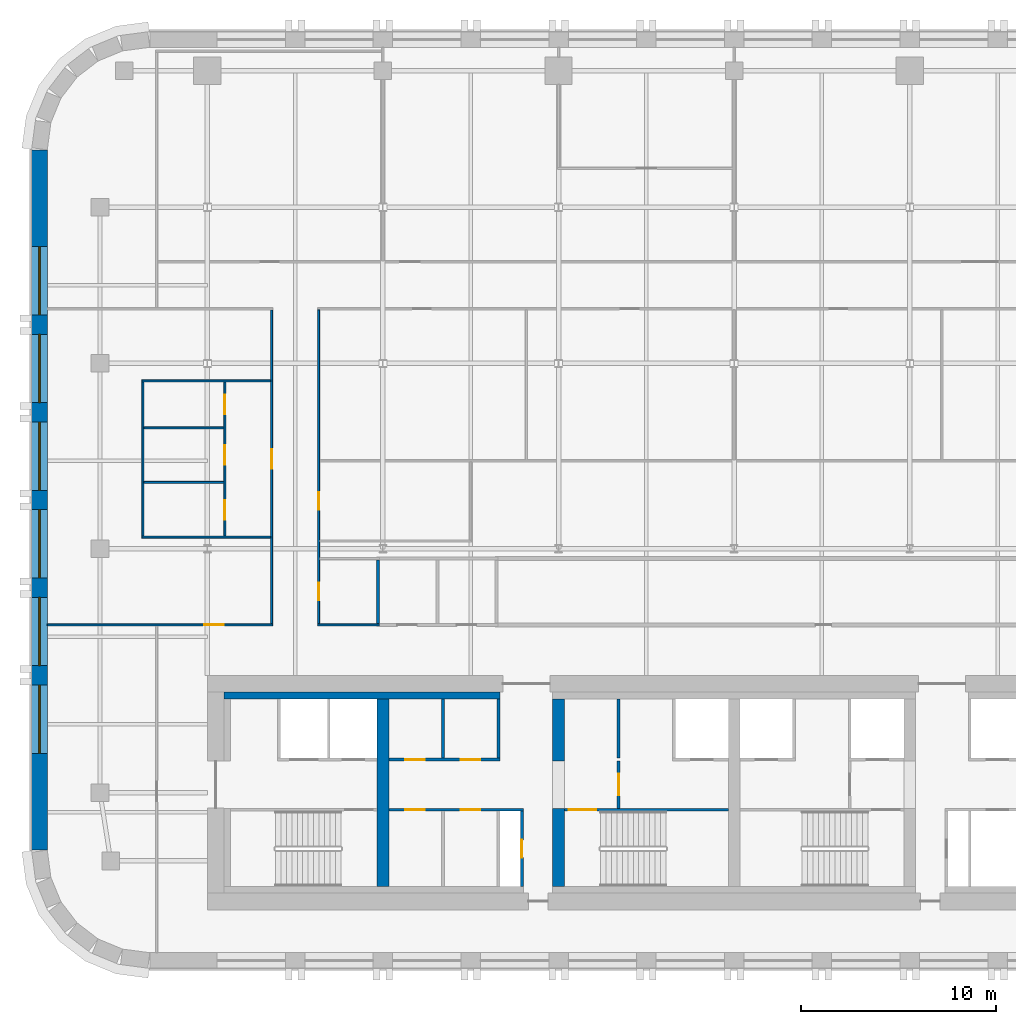
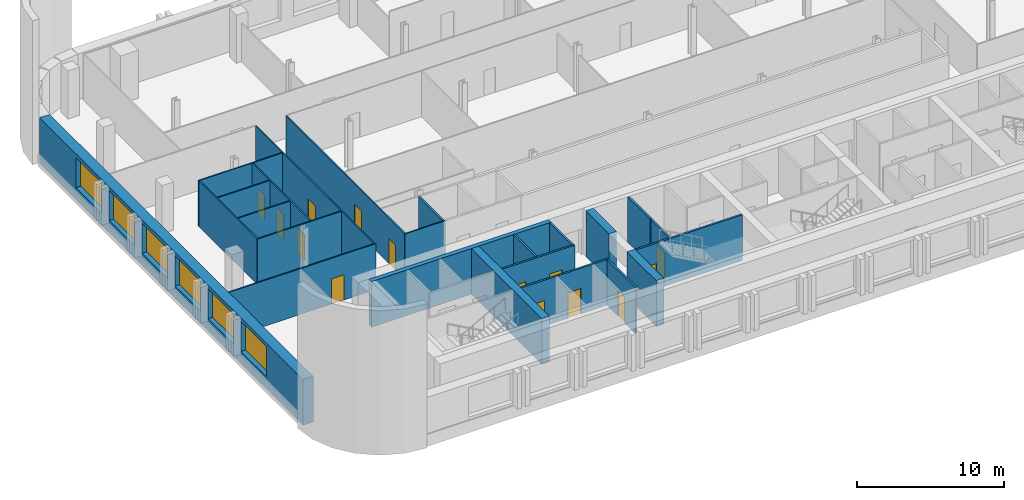
# One storey, part 3 of 9: 24 walls, 14 doors, 6 windows, 20 openings.
"""IFC4 building model written with IfcOpenShell, lengths in metres."""

from ifc_helpers import new_model, si_unit, direction, frame, frame_2d, origin, place, context, subcontext, project, spatial, rectangle, extrude, material, layer, layer_set, type_object, element, fill, save


model = new_model("IFC4")

# Units and contexts
model_context = context("Model", 3, precision=1e-05, world=origin(), true_north=direction((0.0, 1.0)))
body_context = subcontext(model_context, "Body", "Model", "MODEL_VIEW")
ifc_project = project(units=[si_unit("LENGTHUNIT", "METRE"), si_unit("AREAUNIT", "SQUARE_METRE"), si_unit("VOLUMEUNIT", "CUBIC_METRE"), si_unit("PLANEANGLEUNIT", "RADIAN"), si_unit("MASSUNIT", "GRAM", prefix="KILO")], contexts=[model_context])

# Site, building, storey
site_placement = place(None, origin())
site = spatial("IfcSite", under=ifc_project, at=site_placement, CompositionType="ELEMENT")
building_placement = place(site_placement, origin())
building = spatial("IfcBuilding", under=site, at=building_placement, Name="Zellij Exchange Tower", CompositionType="ELEMENT")
storey_placement = place(building_placement, frame((0.0, 0.0, 176.5)))
storey = spatial("IfcBuildingStorey", under=building, at=storey_placement, Name="L40", CompositionType="ELEMENT", Elevation=176.5)

# Walls
ifc_material_1 = material(Name="Concrete C60/75", Category="concrete")
ifc_layer_1 = layer(ifc_material_1, 0.60009765625)
ifc_layer_set_1 = layer_set([ifc_layer_1], Name="Concrete C60/75")
wall_type_1 = type_object("IfcWallType", Name="CORE-CW 600 C60/75", PredefinedType="SHEAR", material=ifc_layer_set_1)
wall_1_placement = place(storey_placement, frame((-18.0, -12.800048828125, 0.0), z_axis=(0.0, 0.0, 1.0), x_axis=(0.0, 1.0, 0.0)))
element("IfcWall", 1, at=wall_1_placement, inside=storey, type_object=wall_type_1, Name="Core cross wall x -18 L40", PredefinedType="SHEAR", context=body_context, shape_type="SweptSolid", body=[
    extrude(rectangle(XDim=9.60009765625, YDim=0.60009765625, at=frame_2d((4.800048828125, 0.0))), origin(), (0.0, 0.0, 1.0), 3.800048828125),
])
wall_2_placement = place(storey_placement, frame((-9.0, -12.800048828125, 0.0), z_axis=(0.0, 0.0, 1.0), x_axis=(0.0, 1.0, 0.0)))
element("IfcWall", 2, at=wall_2_placement, inside=storey, type_object=wall_type_1, Name="Core cross wall pier x -9 a L40", PredefinedType="SHEAR", context=body_context, shape_type="SweptSolid", body=[
    extrude(rectangle(XDim=4.0, YDim=0.60009765625, at=frame_2d((2.0, 0.0))), origin(), (0.0, 0.0, 1.0), 3.800048828125),
])
wall_3_placement = place(storey_placement, frame((-9.0, -6.375, 0.0), z_axis=(0.0, 0.0, 1.0), x_axis=(0.0, 1.0, 0.0)))
element("IfcWall", 3, at=wall_3_placement, inside=storey, type_object=wall_type_1, Name="Core cross wall pier x -9 b L40", PredefinedType="SHEAR", context=body_context, shape_type="SweptSolid", body=[
    extrude(rectangle(XDim=3.175048828125, YDim=0.60009765625, at=frame_2d((1.58740234375, 0.0))), origin(), (0.0, 0.0, 1.0), 3.800048828125),
])
ifc_material_2 = material(Name="Concrete C30/37", Category="concrete")
ifc_layer_2 = layer(ifc_material_2, 0.35009765625)
ifc_layer_set_2 = layer_set([ifc_layer_2], Name="Concrete C30/37")
wall_type_2 = type_object("IfcWallType", Name="CORE-LW 350 C30/37", PredefinedType="SHEAR", material=ifc_layer_set_2)
wall_4_placement = place(storey_placement, frame((-26.14990234375, -3.02490234375, 0.0), z_axis=(0.0, 0.0, 1.0), x_axis=(1.0, 0.0, 0.0)))
element("IfcWall", 4, at=wall_4_placement, inside=storey, type_object=wall_type_2, Name="Core wall lining front.0 L40", PredefinedType="SHEAR", context=body_context, shape_type="SweptSolid", body=[
    extrude(rectangle(XDim=14.14990234375, YDim=0.35009765625, at=frame_2d((7.074951171875, 0.0))), origin(), (0.0, 0.0, 1.0), 3.800048828125),
])

# Wall, opening, door
ifc_material_3 = material(Name="Gypsum shaft wall system")
ifc_layer_3 = layer(ifc_material_3, 0.14990234375)
ifc_layer_set_3 = layer_set([ifc_layer_3], Name="Gypsum shaft wall system")
wall_type_3 = type_object("IfcWallType", Name="CORE-PW 150 Firefighting lobby wall", PredefinedType="PARTITIONING", material=ifc_layer_set_3)
wall_5_placement = place(storey_placement, frame((-5.925048828125, -8.800048828125, 0.0), z_axis=(0.0, 0.0, 1.0), x_axis=(0.0, 1.0, 0.0)))
wall_5 = element("IfcWall", 5, at=wall_5_placement, inside=storey, type_object=wall_type_3, Name="Firefighting lobby wall L40", PredefinedType="PARTITIONING", context=body_context, shape_type="SweptSolid", body=[
    extrude(rectangle(XDim=2.425048828125, YDim=0.14990234375, at=frame_2d((1.21240234375, 0.0))), origin(), (0.0, 0.0, 1.0), 3.800048828125),
])
opening_1_placement = place(wall_5_placement, frame((0.662109375, 0.0, 0.0)))
opening_1 = element("IfcOpeningElement", 6, at=opening_1_placement, cuts=wall_5, Name="Opening CA-22.13", PredefinedType="OPENING", context=body_context, shape_type="SweptSolid", body=[
    extrude(rectangle(XDim=1.10009765625, YDim=2.10009765625, at=frame_2d((0.550048828125, 1.050048828125))), frame((0.0, 0.0869140625, 0.0), z_axis=(0.0, -1.0, 0.0), x_axis=(1.0, 0.0, 0.0)), (0.0, 0.0, 1.0), 0.173828125),
])
ifc_material_4 = material(Name="Hollow metal fire door")
door_type_1 = type_object("IfcDoorType", Name="CORE-D F Firefighting lobby door 1100x2100 1 HR", OperationType="NOTDEFINED", PredefinedType="DOOR", material=ifc_material_4)
door_1_placement = place(opening_1_placement, origin())
door_1 = element("IfcDoor", 7, at=door_1_placement, inside=storey, type_object=door_type_1, Name="Firefighting lobby door CA-22.13", OperationType="SINGLE_SWING_LEFT", OverallHeight=2.10009765625, OverallWidth=1.10009765625, PredefinedType="DOOR", context=body_context, shape_type="SweptSolid", body=[
    extrude(rectangle(XDim=1.10009765625, YDim=2.10009765625, at=frame_2d((0.550048828125, 1.050048828125))), frame((0.0, 0.02490234375, 0.0), z_axis=(0.0, -1.0, 0.0), x_axis=(1.0, 0.0, 0.0)), (0.0, 0.0, 1.0), 0.050048828125),
])
fill(opening_1, door_1)

# Walls
ifc_material_5 = material(Name="Gypsum board partition")
ifc_layer_4 = layer(ifc_material_5, 0.14990234375)
ifc_layer_set_4 = layer_set([ifc_layer_4], Name="Gypsum board partition")
wall_type_4 = type_object("IfcWallType", Name="CORE-PW 150 Lift lobby wall", PredefinedType="PARTITIONING", material=ifc_layer_set_4)
for number, where, z_axis, x_axis, name in (
    (8, (-12.074951171875, -6.22509765625, 0.0), (0.0, 0.0, 1.0), (0.0, 1.0, 0.0), "Lift lobby wall L40"),
    (9, (-14.925048828125, -6.22509765625, 0.0), (0.0, 0.0, 1.0), (0.0, 1.0, 0.0), "Lift lobby wall L40"),
    (10, (-5.925048828125, -6.22509765625, 0.0), (0.0, 0.0, 1.0), (0.0, 1.0, 0.0), "Lift lobby wall L40"),
):
    element("IfcWall", number, at=place(storey_placement, frame(where, z_axis=z_axis, x_axis=x_axis)), inside=storey, type_object=wall_type_4, Name=name, PredefinedType="PARTITIONING", context=body_context, shape_type="SweptSolid", body=[
        extrude(rectangle(XDim=3.025146484375, YDim=0.14990234375, at=frame_2d((1.5126953125, 0.0))), origin(), (0.0, 0.0, 1.0), 3.800048828125),
    ])

# Wall, opening, door
wall_6_placement = place(storey_placement, frame((-10.875, -12.800048828125, 0.0), z_axis=(0.0, 0.0, 1.0), x_axis=(0.0, 1.0, 0.0)))
wall_6 = element("IfcWall", 11, at=wall_6_placement, inside=storey, type_object=wall_type_4, Name="Lift lobby wall L40", PredefinedType="PARTITIONING", context=body_context, shape_type="SweptSolid", body=[
    extrude(rectangle(XDim=3.85009765625, YDim=0.14990234375, at=frame_2d((1.925048828125, 0.0))), origin(), (0.0, 0.0, 1.0), 3.800048828125),
])
opening_2_placement = place(wall_6_placement, frame((1.47509765625, 0.0, 0.0)))
opening_2 = element("IfcOpeningElement", 12, at=opening_2_placement, cuts=wall_6, Name="Opening CA-22.09", PredefinedType="OPENING", context=body_context, shape_type="SweptSolid", body=[
    extrude(rectangle(XDim=0.89990234375, YDim=2.10009765625, at=frame_2d((0.449951171875, 1.050048828125))), frame((0.0, 0.0869140625, 0.0), z_axis=(0.0, -1.0, 0.0), x_axis=(1.0, 0.0, 0.0)), (0.0, 0.0, 1.0), 0.173828125),
])
door_type_2 = type_object("IfcDoorType", Name="CORE-D RD Riser door 900x2100 1.5 HR", OperationType="NOTDEFINED", PredefinedType="DOOR", material=ifc_material_4)
door_2_placement = place(opening_2_placement, origin())
door_2 = element("IfcDoor", 13, at=door_2_placement, inside=storey, type_object=door_type_2, Name="Riser door CA-22.09", OperationType="SINGLE_SWING_RIGHT", OverallHeight=2.10009765625, OverallWidth=0.89990234375, PredefinedType="DOOR", context=body_context, shape_type="SweptSolid", body=[
    extrude(rectangle(XDim=0.89990234375, YDim=2.10009765625, at=frame_2d((0.449951171875, 1.050048828125))), frame((0.0, 0.02490234375, 0.0), z_axis=(0.0, -1.0, 0.0), x_axis=(1.0, 0.0, 0.0)), (0.0, 0.0, 1.0), 0.050048828125),
])
fill(opening_2, door_2)

# Wall, openings, doors
wall_7_placement = place(storey_placement, frame((-17.699951171875, -6.300048828125, 0.0), z_axis=(0.0, 0.0, 1.0), x_axis=(1.0, 0.0, 0.0)))
wall_7 = element("IfcWall", 14, at=wall_7_placement, inside=storey, type_object=wall_type_4, Name="Lift lobby wall L40", PredefinedType="PARTITIONING", context=body_context, shape_type="SweptSolid", body=[
    extrude(rectangle(XDim=5.699951171875, YDim=0.14990234375, at=frame_2d((2.85009765625, 0.0))), origin(), (0.0, 0.0, 1.0), 3.800048828125),
])
opening_3_placement = place(wall_7_placement, frame((0.85009765625, 0.0, 0.0)))
opening_3 = element("IfcOpeningElement", 15, at=opening_3_placement, cuts=wall_7, Name="Opening CA-22.06", PredefinedType="OPENING", context=body_context, shape_type="SweptSolid", body=[
    extrude(rectangle(XDim=1.0, YDim=2.10009765625, at=frame_2d((0.5, 1.050048828125))), frame((0.0, 0.0869140625, 0.0), z_axis=(0.0, -1.0, 0.0), x_axis=(1.0, 0.0, 0.0)), (0.0, 0.0, 1.0), 0.173828125),
])
opening_4_placement = place(wall_7_placement, frame((3.699951171875, 0.0, 0.0)))
opening_4 = element("IfcOpeningElement", 16, at=opening_4_placement, cuts=wall_7, Name="Opening CA-22.08", PredefinedType="OPENING", context=body_context, shape_type="SweptSolid", body=[
    extrude(rectangle(XDim=1.0, YDim=2.10009765625, at=frame_2d((0.5, 1.050048828125))), frame((0.0, 0.0869140625, 0.0), z_axis=(0.0, -1.0, 0.0), x_axis=(1.0, 0.0, 0.0)), (0.0, 0.0, 1.0), 0.173828125),
])
door_type_3 = type_object("IfcDoorType", Name="CORE-D CD Core room door 1000x2100 1 HR", OperationType="NOTDEFINED", PredefinedType="DOOR", material=ifc_material_4)
door_3_placement = place(opening_3_placement, origin())
door_3 = element("IfcDoor", 17, at=door_3_placement, inside=storey, type_object=door_type_3, Name="Core room door CA-22.06", OperationType="SINGLE_SWING_LEFT", OverallHeight=2.10009765625, OverallWidth=1.0, PredefinedType="DOOR", context=body_context, shape_type="SweptSolid", body=[
    extrude(rectangle(XDim=1.0, YDim=2.10009765625, at=frame_2d((0.5, 1.050048828125))), frame((0.0, 0.02490234375, 0.0), z_axis=(0.0, -1.0, 0.0), x_axis=(1.0, 0.0, 0.0)), (0.0, 0.0, 1.0), 0.050048828125),
])
fill(opening_3, door_3)
door_4_placement = place(opening_4_placement, origin())
door_4 = element("IfcDoor", 18, at=door_4_placement, inside=storey, type_object=door_type_3, Name="Core room door CA-22.08", OperationType="SINGLE_SWING_RIGHT", OverallHeight=2.10009765625, OverallWidth=1.0, PredefinedType="DOOR", context=body_context, shape_type="SweptSolid", body=[
    extrude(rectangle(XDim=1.0, YDim=2.10009765625, at=frame_2d((0.5, 1.050048828125))), frame((0.0, 0.02490234375, 0.0), z_axis=(0.0, -1.0, 0.0), x_axis=(1.0, 0.0, 0.0)), (0.0, 0.0, 1.0), 0.050048828125),
])
fill(opening_4, door_4)

wall_8_placement = place(storey_placement, frame((-17.699951171875, -8.875, 0.0), z_axis=(0.0, 0.0, 1.0), x_axis=(1.0, 0.0, 0.0)))
wall_8 = element("IfcWall", 19, at=wall_8_placement, inside=storey, type_object=wall_type_4, Name="Lift lobby wall L40", PredefinedType="PARTITIONING", context=body_context, shape_type="SweptSolid", body=[
    extrude(rectangle(XDim=6.89990234375, YDim=0.14990234375, at=frame_2d((3.449951171875, 0.0))), origin(), (0.0, 0.0, 1.0), 3.800048828125),
])
opening_5_placement = place(wall_8_placement, frame((0.85009765625, 0.0, 0.0)))
opening_5 = element("IfcOpeningElement", 20, at=opening_5_placement, cuts=wall_8, Name="Opening CA-22.05", PredefinedType="OPENING", context=body_context, shape_type="SweptSolid", body=[
    extrude(rectangle(XDim=1.0, YDim=2.10009765625, at=frame_2d((0.5, 1.050048828125))), frame((0.0, 0.0869140625, 0.0), z_axis=(0.0, -1.0, 0.0), x_axis=(1.0, 0.0, 0.0)), (0.0, 0.0, 1.0), 0.173828125),
])
opening_6_placement = place(wall_8_placement, frame((3.699951171875, 0.0, 0.0)))
opening_6 = element("IfcOpeningElement", 21, at=opening_6_placement, cuts=wall_8, Name="Opening CA-22.07", PredefinedType="OPENING", context=body_context, shape_type="SweptSolid", body=[
    extrude(rectangle(XDim=1.0, YDim=2.10009765625, at=frame_2d((0.5, 1.050048828125))), frame((0.0, 0.0869140625, 0.0), z_axis=(0.0, -1.0, 0.0), x_axis=(1.0, 0.0, 0.0)), (0.0, 0.0, 1.0), 0.173828125),
])
door_5_placement = place(opening_5_placement, origin())
door_5 = element("IfcDoor", 22, at=door_5_placement, inside=storey, type_object=door_type_3, Name="Core room door CA-22.05", OperationType="SINGLE_SWING_RIGHT", OverallHeight=2.10009765625, OverallWidth=1.0, PredefinedType="DOOR", context=body_context, shape_type="SweptSolid", body=[
    extrude(rectangle(XDim=1.0, YDim=2.10009765625, at=frame_2d((0.5, 1.050048828125))), frame((0.0, 0.02490234375, 0.0), z_axis=(0.0, -1.0, 0.0), x_axis=(1.0, 0.0, 0.0)), (0.0, 0.0, 1.0), 0.050048828125),
])
fill(opening_5, door_5)
door_6_placement = place(opening_6_placement, origin())
door_6 = element("IfcDoor", 23, at=door_6_placement, inside=storey, type_object=door_type_3, Name="Core room door CA-22.07", OperationType="SINGLE_SWING_LEFT", OverallHeight=2.10009765625, OverallWidth=1.0, PredefinedType="DOOR", context=body_context, shape_type="SweptSolid", body=[
    extrude(rectangle(XDim=1.0, YDim=2.10009765625, at=frame_2d((0.5, 1.050048828125))), frame((0.0, 0.02490234375, 0.0), z_axis=(0.0, -1.0, 0.0), x_axis=(1.0, 0.0, 0.0)), (0.0, 0.0, 1.0), 0.050048828125),
])
fill(opening_6, door_6)

# Wall, opening, door
ifc_layer_5 = layer(ifc_material_1, 0.14990234375)
ifc_layer_set_5 = layer_set([ifc_layer_5], Name="Concrete C60/75")
wall_type_5 = type_object("IfcWallType", Name="CORE-SWS 150 C60/75", PredefinedType="SHEAR", material=ifc_layer_set_5)
wall_9_placement = place(storey_placement, frame((-8.699951171875, -8.875, 0.0), z_axis=(0.0, 0.0, 1.0), x_axis=(1.0, 0.0, 0.0)))
wall_9 = element("IfcWall", 24, at=wall_9_placement, inside=storey, type_object=wall_type_5, Name="Stair enclosure wall L40", PredefinedType="SHEAR", context=body_context, shape_type="SweptSolid", body=[
    extrude(rectangle(XDim=8.39990234375, YDim=0.14990234375, at=frame_2d((4.199951171875, 0.0))), origin(), (0.0, 0.0, 1.0), 3.800048828125),
])
opening_7_placement = place(wall_9_placement, frame((0.22509765625, 0.0, 0.0)))
opening_7 = element("IfcOpeningElement", 25, at=opening_7_placement, cuts=wall_9, Name="Opening CA-22.12", PredefinedType="OPENING", context=body_context, shape_type="SweptSolid", body=[
    extrude(rectangle(XDim=1.39990234375, YDim=2.10009765625, at=frame_2d((0.699951171875, 1.050048828125))), frame((0.0, 0.0869140625, 0.0), z_axis=(0.0, -1.0, 0.0), x_axis=(1.0, 0.0, 0.0)), (0.0, 0.0, 1.0), 0.173828125),
])
door_type_4 = type_object("IfcDoorType", Name="CORE-D SD Stair door 1400x2100 1.5 HR", OperationType="NOTDEFINED", PredefinedType="DOOR", material=ifc_material_4)
door_7_placement = place(opening_7_placement, origin())
door_7 = element("IfcDoor", 26, at=door_7_placement, inside=storey, type_object=door_type_4, Name="Stair door CA-22.12", OperationType="DOUBLE_DOOR_SINGLE_SWING", OverallHeight=2.10009765625, OverallWidth=1.39990234375, PredefinedType="DOOR", context=body_context, shape_type="SweptSolid", body=[
    extrude(rectangle(XDim=1.39990234375, YDim=2.10009765625, at=frame_2d((0.699951171875, 1.050048828125))), frame((0.0, 0.02490234375, 0.0), z_axis=(0.0, -1.0, 0.0), x_axis=(1.0, 0.0, 0.0)), (0.0, 0.0, 1.0), 0.050048828125),
])
fill(opening_7, door_7)

# Wall, openings, windows
ifc_material_6 = material(Name="Precast concrete C40/50", Category="concrete")
ifc_layer_6 = layer(ifc_material_6, 0.800048828125)
ifc_layer_set_6 = layer_set([ifc_layer_6], Name="Precast concrete C40/50")
wall_type_6 = type_object("IfcWallType", Name="ENV-EW1 Precast stone-piered wall 800", PredefinedType="SOLIDWALL", material=ifc_layer_set_6)
wall_10_placement = place(storey_placement, frame((-35.60009765625, 24.947509765625, 0.0), z_axis=(0.0, 0.0, 1.0), x_axis=(0.0, -1.0, 0.0)))
wall_10 = element("IfcWall", 27, at=wall_10_placement, inside=storey, type_object=wall_type_6, Name="fac.L40.21", PredefinedType="SOLIDWALL", context=body_context, shape_type="SweptSolid", body=[
    extrude(rectangle(XDim=35.89501953125, YDim=0.800048828125, at=frame_2d((17.947509765625, 0.0))), origin(), (0.0, 0.0, 1.0), 3.800048828125),
])
opening_8_placement = place(wall_10_placement, frame((4.9638671875, 0.0, 1.0)))
opening_8 = element("IfcOpeningElement", 28, at=opening_8_placement, cuts=wall_10, Name="Opening FZ3.31", PredefinedType="OPENING", context=body_context, shape_type="SweptSolid", body=[
    extrude(rectangle(XDim=3.5, YDim=2.5, at=frame_2d((1.75, 1.25))), frame((0.0, 0.412109375, 0.0), z_axis=(0.0, -1.0, 0.0), x_axis=(1.0, 0.0, 0.0)), (0.0, 0.0, 1.0), 0.823974609375),
])
opening_9_placement = place(wall_10_placement, frame((9.45751953125, 0.0, 1.0)))
opening_9 = element("IfcOpeningElement", 29, at=opening_9_placement, cuts=wall_10, Name="Opening FZ3.32", PredefinedType="OPENING", context=body_context, shape_type="SweptSolid", body=[
    extrude(rectangle(XDim=3.5, YDim=2.5, at=frame_2d((1.75, 1.25))), frame((0.0, 0.412109375, 0.0), z_axis=(0.0, -1.0, 0.0), x_axis=(1.0, 0.0, 0.0)), (0.0, 0.0, 1.0), 0.823974609375),
])
opening_10_placement = place(wall_10_placement, frame((13.950927734375, 0.0, 1.0)))
opening_10 = element("IfcOpeningElement", 30, at=opening_10_placement, cuts=wall_10, Name="Opening FZ3.33", PredefinedType="OPENING", context=body_context, shape_type="SweptSolid", body=[
    extrude(rectangle(XDim=3.5, YDim=2.5, at=frame_2d((1.75, 1.25))), frame((0.0, 0.412109375, 0.0), z_axis=(0.0, -1.0, 0.0), x_axis=(1.0, 0.0, 0.0)), (0.0, 0.0, 1.0), 0.823974609375),
])
opening_11_placement = place(wall_10_placement, frame((18.4443359375, 0.0, 1.0)))
opening_11 = element("IfcOpeningElement", 31, at=opening_11_placement, cuts=wall_10, Name="Opening FZ3.34", PredefinedType="OPENING", context=body_context, shape_type="SweptSolid", body=[
    extrude(rectangle(XDim=3.5, YDim=2.5, at=frame_2d((1.75, 1.25))), frame((0.0, 0.412109375, 0.0), z_axis=(0.0, -1.0, 0.0), x_axis=(1.0, 0.0, 0.0)), (0.0, 0.0, 1.0), 0.823974609375),
])
opening_12_placement = place(wall_10_placement, frame((22.937744140625, 0.0, 1.0)))
opening_12 = element("IfcOpeningElement", 32, at=opening_12_placement, cuts=wall_10, Name="Opening FZ3.35", PredefinedType="OPENING", context=body_context, shape_type="SweptSolid", body=[
    extrude(rectangle(XDim=3.5, YDim=2.5, at=frame_2d((1.75, 1.25))), frame((0.0, 0.412109375, 0.0), z_axis=(0.0, -1.0, 0.0), x_axis=(1.0, 0.0, 0.0)), (0.0, 0.0, 1.0), 0.823974609375),
])
opening_13_placement = place(wall_10_placement, frame((27.43115234375, 0.0, 1.0)))
opening_13 = element("IfcOpeningElement", 33, at=opening_13_placement, cuts=wall_10, Name="Opening FZ3.36", PredefinedType="OPENING", context=body_context, shape_type="SweptSolid", body=[
    extrude(rectangle(XDim=3.5, YDim=2.5, at=frame_2d((1.75, 1.25))), frame((0.0, 0.412109375, 0.0), z_axis=(0.0, -1.0, 0.0), x_axis=(1.0, 0.0, 0.0)), (0.0, 0.0, 1.0), 0.823974609375),
])
ifc_material_7 = material(Name="Aluminium frame with insulating glass", Category="aluminium")
window_type = type_object("IfcWindowType", Name="ENV-W1 Window 3500x2500", PartitioningType="SINGLE_PANEL", PredefinedType="WINDOW", material=ifc_material_7)
window_1_placement = place(opening_8_placement, origin())
window_1 = element("IfcWindow", 34, at=window_1_placement, inside=storey, type_object=window_type, Name="Window FZ3.31", OverallHeight=2.5, OverallWidth=3.5, PartitioningType="SINGLE_PANEL", PredefinedType="WINDOW", context=body_context, shape_type="SweptSolid", body=[
    extrude(rectangle(XDim=3.5, YDim=2.5, at=frame_2d((1.75, 1.25))), frame((0.0, 0.030029296875, 0.0), z_axis=(0.0, -1.0, 0.0), x_axis=(1.0, 0.0, 0.0)), (0.0, 0.0, 1.0), 0.06005859375),
])
fill(opening_8, window_1)
window_2_placement = place(opening_9_placement, origin())
window_2 = element("IfcWindow", 35, at=window_2_placement, inside=storey, type_object=window_type, Name="Window FZ3.32", OverallHeight=2.5, OverallWidth=3.5, PartitioningType="SINGLE_PANEL", PredefinedType="WINDOW", context=body_context, shape_type="SweptSolid", body=[
    extrude(rectangle(XDim=3.5, YDim=2.5, at=frame_2d((1.75, 1.25))), frame((0.0, 0.030029296875, 0.0), z_axis=(0.0, -1.0, 0.0), x_axis=(1.0, 0.0, 0.0)), (0.0, 0.0, 1.0), 0.06005859375),
])
fill(opening_9, window_2)
window_3_placement = place(opening_10_placement, origin())
window_3 = element("IfcWindow", 36, at=window_3_placement, inside=storey, type_object=window_type, Name="Window FZ3.33", OverallHeight=2.5, OverallWidth=3.5, PartitioningType="SINGLE_PANEL", PredefinedType="WINDOW", context=body_context, shape_type="SweptSolid", body=[
    extrude(rectangle(XDim=3.5, YDim=2.5, at=frame_2d((1.75, 1.25))), frame((0.0, 0.030029296875, 0.0), z_axis=(0.0, -1.0, 0.0), x_axis=(1.0, 0.0, 0.0)), (0.0, 0.0, 1.0), 0.06005859375),
])
fill(opening_10, window_3)
window_4_placement = place(opening_11_placement, origin())
window_4 = element("IfcWindow", 37, at=window_4_placement, inside=storey, type_object=window_type, Name="Window FZ3.34", OverallHeight=2.5, OverallWidth=3.5, PartitioningType="SINGLE_PANEL", PredefinedType="WINDOW", context=body_context, shape_type="SweptSolid", body=[
    extrude(rectangle(XDim=3.5, YDim=2.5, at=frame_2d((1.75, 1.25))), frame((0.0, 0.030029296875, 0.0), z_axis=(0.0, -1.0, 0.0), x_axis=(1.0, 0.0, 0.0)), (0.0, 0.0, 1.0), 0.06005859375),
])
fill(opening_11, window_4)
window_5_placement = place(opening_12_placement, origin())
window_5 = element("IfcWindow", 38, at=window_5_placement, inside=storey, type_object=window_type, Name="Window FZ3.35", OverallHeight=2.5, OverallWidth=3.5, PartitioningType="SINGLE_PANEL", PredefinedType="WINDOW", context=body_context, shape_type="SweptSolid", body=[
    extrude(rectangle(XDim=3.5, YDim=2.5, at=frame_2d((1.75, 1.25))), frame((0.0, 0.030029296875, 0.0), z_axis=(0.0, -1.0, 0.0), x_axis=(1.0, 0.0, 0.0)), (0.0, 0.0, 1.0), 0.06005859375),
])
fill(opening_12, window_5)
window_6_placement = place(opening_13_placement, origin())
window_6 = element("IfcWindow", 39, at=window_6_placement, inside=storey, type_object=window_type, Name="Window FZ3.36", OverallHeight=2.5, OverallWidth=3.5, PartitioningType="SINGLE_PANEL", PredefinedType="WINDOW", context=body_context, shape_type="SweptSolid", body=[
    extrude(rectangle(XDim=3.5, YDim=2.5, at=frame_2d((1.75, 1.25))), frame((0.0, 0.030029296875, 0.0), z_axis=(0.0, -1.0, 0.0), x_axis=(1.0, 0.0, 0.0)), (0.0, 0.0, 1.0), 0.06005859375),
])
fill(opening_13, window_6)

# Wall, opening, door
ifc_material_8 = material(Name="Gypsum board partition on steel studs", Category="steel")
ifc_layer_7 = layer(ifc_material_8, 0.10009765625)
ifc_layer_set_7 = layer_set([ifc_layer_7], Name="Gypsum board partition on steel studs")
wall_type_7 = type_object("IfcWallType", Name="FIT-PARTITION-100", PredefinedType="PARTITIONING", material=ifc_layer_set_7)
wall_11_placement = place(storey_placement, frame((-35.199951171875, 0.60009765625, 0.0), z_axis=(0.0, 0.0, 1.0), x_axis=(1.0, 0.0, 0.0)))
wall_11 = element("IfcWall", 40, at=wall_11_placement, inside=storey, type_object=wall_type_7, Name="FIT-PARTITION-100 003", PredefinedType="PARTITIONING", context=body_context, shape_type="SweptSolid", body=[
    extrude(rectangle(XDim=11.550048828125, YDim=0.10009765625, at=frame_2d((5.77490234375, 0.0))), origin(), (0.0, 0.0, 1.0), 3.800048828125),
])
opening_14_placement = place(wall_11_placement, frame((8.050048828125, 0.0, 0.0)))
opening_14 = element("IfcOpeningElement", 41, at=opening_14_placement, cuts=wall_11, Name="Opening O3B.03", PredefinedType="OPENING", context=body_context, shape_type="SweptSolid", body=[
    extrude(rectangle(XDim=1.0, YDim=2.10009765625, at=frame_2d((0.5, 1.050048828125))), frame((0.0, 0.06201171875, 0.0), z_axis=(0.0, -1.0, 0.0), x_axis=(1.0, 0.0, 0.0)), (0.0, 0.0, 1.0), 0.1240234375),
])
ifc_material_9 = material(Name="Timber door set", Category="wood")
door_type_5 = type_object("IfcDoorType", Name="FIT-D2-WIDE-1000X2100", OperationType="SINGLE_SWING_LEFT", PredefinedType="DOOR", material=ifc_material_9)
door_8_placement = place(opening_14_placement, origin())
door_8 = element("IfcDoor", 42, at=door_8_placement, inside=storey, type_object=door_type_5, Name="Door O3B.03", OperationType="SINGLE_SWING_LEFT", OverallHeight=2.10009765625, OverallWidth=1.0, PredefinedType="DOOR", context=body_context, shape_type="SweptSolid", body=[
    extrude(rectangle(XDim=1.0, YDim=2.10009765625, at=frame_2d((0.5, 1.050048828125))), frame((0.0, 0.02490234375, 0.0), z_axis=(0.0, -1.0, 0.0), x_axis=(1.0, 0.0, 0.0)), (0.0, 0.0, 1.0), 0.050048828125),
])
fill(opening_14, door_8)

wall_12_placement = place(storey_placement, frame((-23.699951171875, 0.64990234375, 0.0), z_axis=(0.0, 0.0, 1.0), x_axis=(0.0, 1.0, 0.0)))
wall_12 = element("IfcWall", 43, at=wall_12_placement, inside=storey, type_object=wall_type_7, Name="FIT-PARTITION-100 004", PredefinedType="PARTITIONING", context=body_context, shape_type="SweptSolid", body=[
    extrude(rectangle(XDim=16.10009765625, YDim=0.10009765625, at=frame_2d((8.050048828125, 0.0))), origin(), (0.0, 0.0, 1.0), 3.800048828125),
])
opening_15_placement = place(wall_12_placement, frame((7.949951171875, 0.0, 0.0)))
opening_15 = element("IfcOpeningElement", 44, at=opening_15_placement, cuts=wall_12, Name="Opening O3B.12", PredefinedType="OPENING", context=body_context, shape_type="SweptSolid", body=[
    extrude(rectangle(XDim=1.0, YDim=2.10009765625, at=frame_2d((0.5, 1.050048828125))), frame((0.0, 0.06201171875, 0.0), z_axis=(0.0, -1.0, 0.0), x_axis=(1.0, 0.0, 0.0)), (0.0, 0.0, 1.0), 0.1240234375),
])
door_9_placement = place(opening_15_placement, origin())
door_9 = element("IfcDoor", 45, at=door_9_placement, inside=storey, type_object=door_type_5, Name="Door O3B.12", OperationType="SINGLE_SWING_RIGHT", OverallHeight=2.10009765625, OverallWidth=1.0, PredefinedType="DOOR", context=body_context, shape_type="SweptSolid", body=[
    extrude(rectangle(XDim=1.0, YDim=2.10009765625, at=frame_2d((0.5, 1.050048828125))), frame((0.0, 0.02490234375, 0.0), z_axis=(0.0, -1.0, 0.0), x_axis=(1.0, 0.0, 0.0)), (0.0, 0.0, 1.0), 0.050048828125),
])
fill(opening_15, door_9)

# Wall
wall_13_placement = place(storey_placement, frame((-21.35009765625, 0.60009765625, 0.0), z_axis=(0.0, 0.0, 1.0), x_axis=(1.0, 0.0, 0.0)))
element("IfcWall", 46, at=wall_13_placement, inside=storey, type_object=wall_type_7, Name="FIT-PARTITION-100 005", PredefinedType="PARTITIONING", context=body_context, shape_type="SweptSolid", body=[
    extrude(rectangle(XDim=3.1650390625, YDim=0.10009765625, at=frame_2d((1.58251953125, 0.0))), origin(), (0.0, 0.0, 1.0), 3.800048828125),
])

# Wall, openings, doors
wall_14_placement = place(storey_placement, frame((-21.300048828125, 0.64990234375, 0.0), z_axis=(0.0, 0.0, 1.0), x_axis=(0.0, 1.0, 0.0)))
wall_14 = element("IfcWall", 47, at=wall_14_placement, inside=storey, type_object=wall_type_7, Name="FIT-PARTITION-100 006", PredefinedType="PARTITIONING", context=body_context, shape_type="SweptSolid", body=[
    extrude(rectangle(XDim=16.10009765625, YDim=0.10009765625, at=frame_2d((8.050048828125, 0.0))), origin(), (0.0, 0.0, 1.0), 3.800048828125),
])
opening_16_placement = place(wall_14_placement, frame((1.199951171875, 0.0, 0.0)))
opening_16 = element("IfcOpeningElement", 48, at=opening_16_placement, cuts=wall_14, Name="Opening O3B.07", PredefinedType="OPENING", context=body_context, shape_type="SweptSolid", body=[
    extrude(rectangle(XDim=0.89990234375, YDim=2.10009765625, at=frame_2d((0.449951171875, 1.050048828125))), frame((0.0, 0.06201171875, 0.0), z_axis=(0.0, -1.0, 0.0), x_axis=(1.0, 0.0, 0.0)), (0.0, 0.0, 1.0), 0.1240234375),
])
opening_17_placement = place(wall_14_placement, frame((5.85009765625, 0.0, 0.0)))
opening_17 = element("IfcOpeningElement", 49, at=opening_17_placement, cuts=wall_14, Name="Opening O3B.11", PredefinedType="OPENING", context=body_context, shape_type="SweptSolid", body=[
    extrude(rectangle(XDim=0.89990234375, YDim=2.10009765625, at=frame_2d((0.449951171875, 1.050048828125))), frame((0.0, 0.06201171875, 0.0), z_axis=(0.0, -1.0, 0.0), x_axis=(1.0, 0.0, 0.0)), (0.0, 0.0, 1.0), 0.1240234375),
])
door_type_6 = type_object("IfcDoorType", Name="FIT-D1-ROOM-900X2100", OperationType="SINGLE_SWING_LEFT", PredefinedType="DOOR", material=ifc_material_9)
door_10_placement = place(opening_16_placement, origin())
door_10 = element("IfcDoor", 50, at=door_10_placement, inside=storey, type_object=door_type_6, Name="Door O3B.07", OperationType="SINGLE_SWING_LEFT", OverallHeight=2.10009765625, OverallWidth=0.89990234375, PredefinedType="DOOR", context=body_context, shape_type="SweptSolid", body=[
    extrude(rectangle(XDim=0.89990234375, YDim=2.10009765625, at=frame_2d((0.449951171875, 1.050048828125))), frame((0.0, 0.02490234375, 0.0), z_axis=(0.0, -1.0, 0.0), x_axis=(1.0, 0.0, 0.0)), (0.0, 0.0, 1.0), 0.050048828125),
])
fill(opening_16, door_10)
door_11_placement = place(opening_17_placement, origin())
door_11 = element("IfcDoor", 51, at=door_11_placement, inside=storey, type_object=door_type_6, Name="Door O3B.11", OperationType="SINGLE_SWING_LEFT", OverallHeight=2.10009765625, OverallWidth=0.89990234375, PredefinedType="DOOR", context=body_context, shape_type="SweptSolid", body=[
    extrude(rectangle(XDim=0.89990234375, YDim=2.10009765625, at=frame_2d((0.449951171875, 1.050048828125))), frame((0.0, 0.02490234375, 0.0), z_axis=(0.0, -1.0, 0.0), x_axis=(1.0, 0.0, 0.0)), (0.0, 0.0, 1.0), 0.050048828125),
])
fill(opening_17, door_11)

# Walls
wall_15_placement = place(storey_placement, frame((-30.35009765625, 5.10009765625, 0.0), z_axis=(0.0, 0.0, 1.0), x_axis=(1.0, 0.0, 0.0)))
element("IfcWall", 52, at=wall_15_placement, inside=storey, type_object=wall_type_7, Name="FIT-PARTITION-100 021", PredefinedType="PARTITIONING", context=body_context, shape_type="SweptSolid", body=[
    extrude(rectangle(XDim=6.60009765625, YDim=0.10009765625, at=frame_2d((3.300048828125, 0.0))), origin(), (0.0, 0.0, 1.0), 3.800048828125),
])
wall_16_placement = place(storey_placement, frame((-30.300048828125, 5.14990234375, 0.0), z_axis=(0.0, 0.0, 1.0), x_axis=(0.0, 1.0, 0.0)))
element("IfcWall", 53, at=wall_16_placement, inside=storey, type_object=wall_type_7, Name="FIT-PARTITION-100 022", PredefinedType="PARTITIONING", context=body_context, shape_type="SweptSolid", body=[
    extrude(rectangle(XDim=7.900146484375, YDim=0.10009765625, at=frame_2d((3.9501953125, 0.0))), origin(), (0.0, 0.0, 1.0), 3.800048828125),
])

# Wall, openings, doors
wall_17_placement = place(storey_placement, frame((-26.10009765625, 5.14990234375, 0.0), z_axis=(0.0, 0.0, 1.0), x_axis=(0.0, 1.0, 0.0)))
wall_17 = element("IfcWall", 54, at=wall_17_placement, inside=storey, type_object=wall_type_7, Name="FIT-PARTITION-100 023", PredefinedType="PARTITIONING", context=body_context, shape_type="SweptSolid", body=[
    extrude(rectangle(XDim=7.900146484375, YDim=0.10009765625, at=frame_2d((3.9501953125, 0.0))), origin(), (0.0, 0.0, 1.0), 3.800048828125),
])
opening_18_placement = place(wall_17_placement, frame((0.85009765625, 0.0, 0.0)))
opening_18 = element("IfcOpeningElement", 55, at=opening_18_placement, cuts=wall_17, Name="Opening O3B.09", PredefinedType="OPENING", context=body_context, shape_type="SweptSolid", body=[
    extrude(rectangle(XDim=1.0, YDim=2.10009765625, at=frame_2d((0.5, 1.050048828125))), frame((0.0, 0.06201171875, 0.0), z_axis=(0.0, -1.0, 0.0), x_axis=(1.0, 0.0, 0.0)), (0.0, 0.0, 1.0), 0.1240234375),
])
opening_19_placement = place(wall_17_placement, frame((3.64990234375, 0.0, 0.0)))
opening_19 = element("IfcOpeningElement", 56, at=opening_19_placement, cuts=wall_17, Name="Opening O3B.13", PredefinedType="OPENING", context=body_context, shape_type="SweptSolid", body=[
    extrude(rectangle(XDim=1.0, YDim=2.10009765625, at=frame_2d((0.5, 1.050048828125))), frame((0.0, 0.06201171875, 0.0), z_axis=(0.0, -1.0, 0.0), x_axis=(1.0, 0.0, 0.0)), (0.0, 0.0, 1.0), 0.1240234375),
])
opening_20_placement = place(wall_17_placement, frame((6.25, 0.0, 0.0)))
opening_20 = element("IfcOpeningElement", 57, at=opening_20_placement, cuts=wall_17, Name="Opening O3B.14", PredefinedType="OPENING", context=body_context, shape_type="SweptSolid", body=[
    extrude(rectangle(XDim=1.0, YDim=2.10009765625, at=frame_2d((0.5, 1.050048828125))), frame((0.0, 0.06201171875, 0.0), z_axis=(0.0, -1.0, 0.0), x_axis=(1.0, 0.0, 0.0)), (0.0, 0.0, 1.0), 0.1240234375),
])
door_12_placement = place(opening_18_placement, origin())
door_12 = element("IfcDoor", 58, at=door_12_placement, inside=storey, type_object=door_type_5, Name="Door O3B.09", OperationType="SINGLE_SWING_RIGHT", OverallHeight=2.10009765625, OverallWidth=1.0, PredefinedType="DOOR", context=body_context, shape_type="SweptSolid", body=[
    extrude(rectangle(XDim=1.0, YDim=2.10009765625, at=frame_2d((0.5, 1.050048828125))), frame((0.0, 0.02490234375, 0.0), z_axis=(0.0, -1.0, 0.0), x_axis=(1.0, 0.0, 0.0)), (0.0, 0.0, 1.0), 0.050048828125),
])
fill(opening_18, door_12)
door_13_placement = place(opening_19_placement, origin())
door_13 = element("IfcDoor", 59, at=door_13_placement, inside=storey, type_object=door_type_5, Name="Door O3B.13", OperationType="SINGLE_SWING_LEFT", OverallHeight=2.10009765625, OverallWidth=1.0, PredefinedType="DOOR", context=body_context, shape_type="SweptSolid", body=[
    extrude(rectangle(XDim=1.0, YDim=2.10009765625, at=frame_2d((0.5, 1.050048828125))), frame((0.0, 0.02490234375, 0.0), z_axis=(0.0, -1.0, 0.0), x_axis=(1.0, 0.0, 0.0)), (0.0, 0.0, 1.0), 0.050048828125),
])
fill(opening_19, door_13)
door_14_placement = place(opening_20_placement, origin())
door_14 = element("IfcDoor", 60, at=door_14_placement, inside=storey, type_object=door_type_5, Name="Door O3B.14", OperationType="SINGLE_SWING_LEFT", OverallHeight=2.10009765625, OverallWidth=1.0, PredefinedType="DOOR", context=body_context, shape_type="SweptSolid", body=[
    extrude(rectangle(XDim=1.0, YDim=2.10009765625, at=frame_2d((0.5, 1.050048828125))), frame((0.0, 0.02490234375, 0.0), z_axis=(0.0, -1.0, 0.0), x_axis=(1.0, 0.0, 0.0)), (0.0, 0.0, 1.0), 0.050048828125),
])
fill(opening_20, door_14)

# Walls
for number, where, z_axis, x_axis, name in (
    (61, (-30.25, 7.89990234375, 0.0), (0.0, 0.0, 1.0), (1.0, 0.0, 0.0), "FIT-PARTITION-100 024"),
    (62, (-30.25, 10.699951171875, 0.0), (0.0, 0.0, 1.0), (1.0, 0.0, 0.0), "FIT-PARTITION-100 030"),
):
    element("IfcWall", number, at=place(storey_placement, frame(where, z_axis=z_axis, x_axis=x_axis)), inside=storey, type_object=wall_type_7, Name=name, PredefinedType="PARTITIONING", context=body_context, shape_type="SweptSolid", body=[
        extrude(rectangle(XDim=4.10009765625, YDim=0.10009765625, at=frame_2d((2.050048828125, 0.0))), origin(), (0.0, 0.0, 1.0), 3.800048828125),
    ])
wall_18_placement = place(storey_placement, frame((-30.35009765625, 13.10009765625, 0.0), z_axis=(0.0, 0.0, 1.0), x_axis=(1.0, 0.0, 0.0)))
element("IfcWall", 63, at=wall_18_placement, inside=storey, type_object=wall_type_7, Name="FIT-PARTITION-100 031", PredefinedType="PARTITIONING", context=body_context, shape_type="SweptSolid", body=[
    extrude(rectangle(XDim=6.60009765625, YDim=0.10009765625, at=frame_2d((3.300048828125, 0.0))), origin(), (0.0, 0.0, 1.0), 3.800048828125),
])
ifc_material_10 = material(Name="Gypsum board shaft-wall partition", Category="gypsum")
ifc_layer_8 = layer(ifc_material_10, 0.14990234375)
ifc_layer_set_8 = layer_set([ifc_layer_8], Name="Gypsum board shaft-wall partition")
wall_type_8 = type_object("IfcWallType", Name="FIT-PARTITION-150-EI60", PredefinedType="PARTITIONING", material=ifc_layer_set_8)
wall_19_placement = place(storey_placement, frame((-18.260009765625, 0.675048828125, 0.0), z_axis=(0.0, 0.0, 1.0), x_axis=(0.0, 1.0, 0.0)))
element("IfcWall", 64, at=wall_19_placement, inside=storey, type_object=wall_type_8, Name="FIT-PARTITION-150-EI60 008", PredefinedType="PARTITIONING", context=body_context, shape_type="SweptSolid", body=[
    extrude(rectangle(XDim=3.25, YDim=0.14990234375, at=frame_2d((1.625, 0.0))), origin(), (0.0, 0.0, 1.0), 3.800048828125),
])

save(model, "model.ifc")
